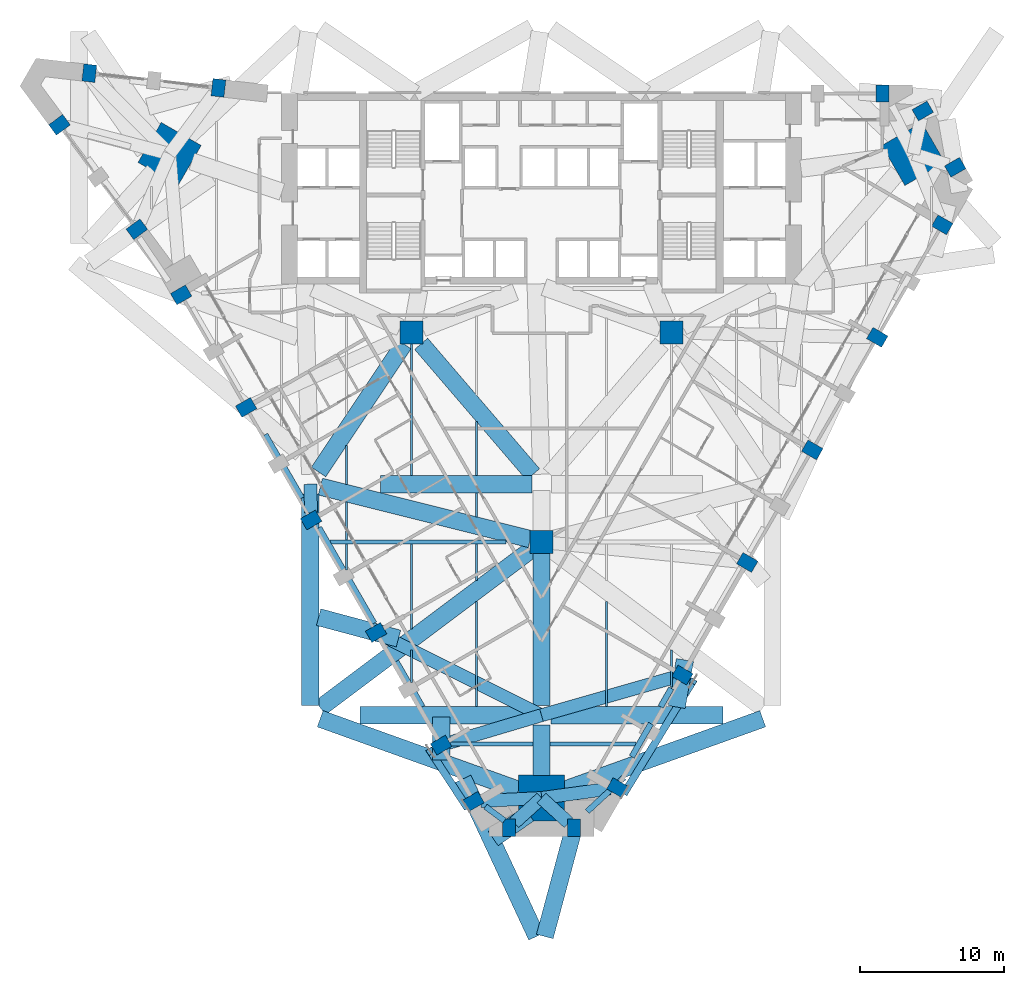
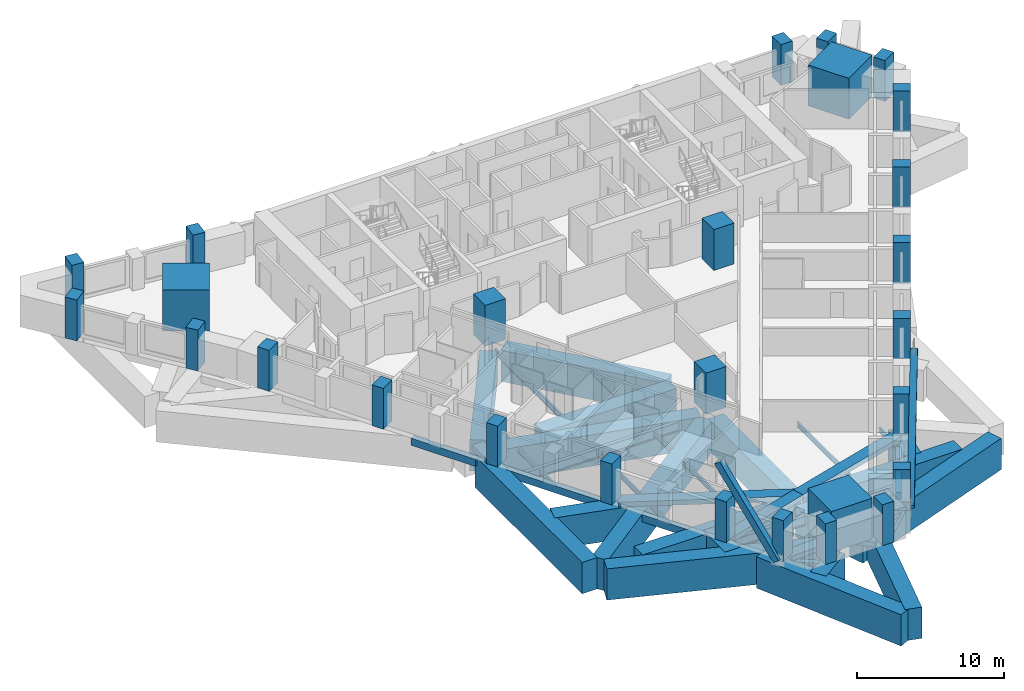
# One storey, part 1 of 12: 48 beams, 27 columns, 2 members.
"""IFC4 building model written with IfcOpenShell, lengths in metres."""

from ifc_helpers import new_model, si_unit, direction, frame, origin, origin_2d, place, context, subcontext, project, spatial, rectangle, hollow_rectangle, i_section, extrude, material, material_profile, profile_set, type_object, element, save


model = new_model("IFC4")

# Units and contexts
model_context = context("Model", 3, precision=1e-05, world=origin(), true_north=direction((0.0, 1.0)))
body_context = subcontext(model_context, "Body", "Model", "MODEL_VIEW")
ifc_project = project(units=[si_unit("LENGTHUNIT", "METRE"), si_unit("AREAUNIT", "SQUARE_METRE"), si_unit("VOLUMEUNIT", "CUBIC_METRE"), si_unit("PLANEANGLEUNIT", "RADIAN"), si_unit("MASSUNIT", "GRAM", prefix="KILO")], contexts=[model_context])

# Site, building, storey
site_placement = place(None, origin())
site = spatial("IfcSite", under=ifc_project, at=site_placement, CompositionType="ELEMENT")
building_placement = place(site_placement, origin())
building = spatial("IfcBuilding", under=site, at=building_placement, Name="Calabash Gate Tower", CompositionType="ELEMENT")
storey_placement = place(building_placement, frame((0.0, 0.0, 46.0)))
storey = spatial("IfcBuildingStorey", under=building, at=storey_placement, Name="L06", CompositionType="ELEMENT", Elevation=46.0)

# Columns
ifc_material_1 = material(Name="Concrete C80/95", Category="concrete")
ifc_material_profile_1 = material_profile(ifc_material_1, rectangle(XDim=1.60009765625, YDim=1.60009765625, at=origin_2d()))
ifc_profile_set_1 = profile_set([ifc_material_profile_1], Name="Concrete C80/95")
column_type_1 = type_object("IfcColumnType", Name="Interior column RC 1600x1600 Concrete C80/95", PredefinedType="COLUMN", material=ifc_profile_set_1)
for number, where, z_axis, x_axis, name in (
    (1, (-9.0, 2.5, 0.0), (0.0, 0.0, 1.0), (1.0, 0.0, 0.0), "Interior column L06 I0"),
    (2, (9.0, 2.5, 0.0), (0.0, 0.0, 1.0), (1.0, 0.0, 0.0), "Interior column L06 I1"),
    (3, (0.0, -12.0, 0.0), (0.0, 0.0, 1.0), (1.0, 0.0, 0.0), "Interior column L06 I2"),
):
    element("IfcColumn", number, at=place(storey_placement, frame(where, z_axis=z_axis, x_axis=x_axis)), inside=storey, type_object=column_type_1, Name=name, PredefinedType="COLUMN", context=body_context, shape_type="SweptSolid", body=[
        extrude(rectangle(XDim=1.60009765625, YDim=1.60009765625, at=origin_2d()), origin(), (0.0, 0.0, 1.0), 3.39990234375),
    ])
ifc_material_2 = material(Name="Concrete C80/95", Category="concrete")
ifc_material_profile_2 = material_profile(ifc_material_2, rectangle(XDim=3.199951171875, YDim=3.199951171875, at=origin_2d()))
ifc_profile_set_2 = profile_set([ifc_material_profile_2], Name="Concrete C80/95")
column_type_2 = type_object("IfcColumnType", Name="Mega column RC 3200x3200 Concrete C80/95", PredefinedType="COLUMN", material=ifc_profile_set_2)
for number, where, z_axis, x_axis, name in (
    (4, (-25.75, 14.866943359375, 0.0), (0.0, 0.0, 1.0), (0.866025386331, -0.50000003023, 0.0), "Mega column L06 NW"),
    (5, (25.75, 14.866943359375, 0.0), (0.0, 0.0, 1.0), (-0.866025386331, -0.50000003023, 0.0), "Mega column L06 NE"),
    (6, (0.0, -29.73291015625, 0.0), (0.0, 0.0, 1.0), (0.0, 1.0, 0.0), "Mega column L06 S"),
):
    element("IfcColumn", number, at=place(storey_placement, frame(where, z_axis=z_axis, x_axis=x_axis)), inside=storey, type_object=column_type_2, Name=name, PredefinedType="COLUMN", context=body_context, shape_type="SweptSolid", body=[
        extrude(rectangle(XDim=3.199951171875, YDim=3.199951171875, at=origin_2d()), origin(), (0.0, 0.0, 1.0), 3.39990234375),
    ])
ifc_material_3 = material(Name="Concrete C70/85", Category="concrete")
ifc_material_profile_3 = material_profile(ifc_material_3, rectangle(XDim=0.89990234375, YDim=1.199951171875, at=origin_2d()))
ifc_profile_set_3 = profile_set([ifc_material_profile_3], Name="Concrete C70/85")
column_type_3 = type_object("IfcColumnType", Name="Perimeter column RC 900x1200 Concrete C70/85", PredefinedType="COLUMN", material=ifc_profile_set_3)
for number, where, z_axis, x_axis, name in (
    (7, (-24.949951171875, 5.110107421875, 0.0), (0.0, 0.0, 1.0), (0.5, -0.866025403784, 0.0), "Perimeter column L06 P00"),
    (8, (-20.449951171875, -2.68310546875, 0.0), (0.0, 0.0, 1.0), (0.5, -0.866025403784, 0.0), "Perimeter column L06 P01"),
    (9, (-15.949951171875, -10.47900390625, 0.0), (0.0, 0.0, 1.0), (0.5, -0.866025403784, 0.0), "Perimeter column L06 P02"),
    (10, (-11.449951171875, -18.27294921875, 0.0), (0.0, 0.0, 1.0), (0.5, -0.866025403784, 0.0), "Perimeter column L06 P03"),
    (11, (-6.949951171875, -26.06689453125, 0.0), (0.0, 0.0, 1.0), (0.5, -0.866025403784, 0.0), "Perimeter column L06 P04"),
    (12, (-4.699951171875, -29.964111328125, 0.0), (0.0, 0.0, 1.0), (0.5, -0.866025403784, 0.0), "Perimeter column L06 P05"),
    (13, (-2.25, -31.782958984375, 0.0), (0.0, 0.0, 1.0), (1.0, 0.0, 0.0), "Perimeter column L06 P06"),
    (14, (2.25, -31.782958984375, 0.0), (0.0, 0.0, 1.0), (1.0, 0.0, 0.0), "Perimeter column L06 P07"),
    (15, (5.25, -29.011962890625, 0.0), (0.0, 0.0, 1.0), (0.5, 0.866025403784, 0.0), "Perimeter column L06 P08"),
    (16, (9.75, -21.218017578125, 0.0), (0.0, 0.0, 1.0), (0.5, 0.866025403784, 0.0), "Perimeter column L06 P09"),
    (17, (14.25, -13.423095703125, 0.0), (0.0, 0.0, 1.0), (0.5, 0.866025403784, 0.0), "Perimeter column L06 P10"),
    (18, (18.75, -5.62890625, 0.0), (0.0, 0.0, 1.0), (0.5, 0.866025403784, 0.0), "Perimeter column L06 P11"),
    (19, (23.25, 2.1669921875, 0.0), (0.0, 0.0, 1.0), (0.5, 0.866025403784, 0.0), "Perimeter column L06 P12"),
    (20, (27.75, 9.958984375, 0.0), (0.0, 0.0, 1.0), (0.5, 0.866025403784, 0.0), "Perimeter column L06 P13"),
    (21, (28.64990234375, 13.943115234375, 0.0), (0.0, 0.0, 1.0), (-0.49999996977, 0.866025421238, 0.0), "Perimeter column L06 P14"),
    (22, (26.39990234375, 17.840087890625, 0.0), (0.0, 0.0, 1.0), (-0.49999996977, 0.866025421238, 0.0), "Perimeter column L06 P15"),
    (23, (23.60009765625, 19.052978515625, 0.0), (0.0, 0.0, 1.0), (-1.0, 0.0, 0.0), "Perimeter column L06 P16"),
    (24, (-22.366943359375, 19.43798828125, 0.0), (0.0, 0.0, 1.0), (-0.993506319736, 0.113776942504, 0.0), "Perimeter column L06 P17"),
    (25, (-31.30908203125, 20.4619140625, 0.0), (0.0, 0.0, 1.0), (-0.993506319736, 0.113776942504, 0.0), "Perimeter column L06 P18"),
    (26, (-33.373046875, 16.883056640625, 0.0), (0.0, 0.0, 1.0), (0.595286896465, -0.80351323007, 0.0), "Perimeter column L06 P19"),
    (27, (-28.01806640625, 9.65087890625, 0.0), (0.0, 0.0, 1.0), (0.595286896465, -0.80351323007, 0.0), "Perimeter column L06 P20"),
):
    element("IfcColumn", number, at=place(storey_placement, frame(where, z_axis=z_axis, x_axis=x_axis)), inside=storey, type_object=column_type_3, Name=name, PredefinedType="COLUMN", context=body_context, shape_type="SweptSolid", body=[
        extrude(rectangle(XDim=0.89990234375, YDim=1.199951171875, at=origin_2d()), origin(), (0.0, 0.0, 1.0), 3.39990234375),
    ])

# Beams
ifc_material_4 = material(Name="Concrete C80/95", Category="concrete")
ifc_material_profile_4 = material_profile(ifc_material_4, rectangle(XDim=0.89990234375, YDim=0.39990234375, at=origin_2d()))
ifc_profile_set_4 = profile_set([ifc_material_profile_4], Name="Concrete C80/95")
beam_type_1 = type_object("IfcBeamType", Name="Deck band beam RC 900x400 Concrete C80/95", PredefinedType="BEAM", material=ifc_profile_set_4)
beam_1_placement = place(storey_placement, frame((-16.0, -8.0, -0.200927734375), z_axis=(0.020227787462, -0.999795397376, 0.0), x_axis=(0.999795397376, 0.020227787462, 0.0)))
element("IfcBeam", 28, at=beam_1_placement, inside=storey, type_object=beam_type_1, Name="Deck band beam L06 P02", PredefinedType="BEAM", context=body_context, shape_type="SweptSolid", body=[
    extrude(rectangle(XDim=0.89990234375, YDim=0.39990234375, at=origin_2d()), origin(), (0.0, 0.0, 1.0), 1.9794921875),
])
beam_2_placement = place(storey_placement, frame((0.0, -24.0, -0.200927734375), z_axis=(-0.894379557656, 0.447308849507, 0.0), x_axis=(-0.447308849507, -0.894379557656, 0.0)))
element("IfcBeam", 29, at=beam_2_placement, inside=storey, type_object=beam_type_1, Name="Deck band beam L06 P03", PredefinedType="BEAM", context=body_context, shape_type="SweptSolid", body=[
    extrude(rectangle(XDim=0.89990234375, YDim=0.39990234375, at=origin_2d()), origin(), (0.0, 0.0, 1.0), 12.30224609375),
])
beam_3_placement = place(storey_placement, frame((0.0, -24.0, -0.200927734375), z_axis=(-0.958564652819, -0.284875071506, 0.0), x_axis=(0.284875071506, -0.958564652819, 0.0)))
element("IfcBeam", 30, at=beam_3_placement, inside=storey, type_object=beam_type_1, Name="Deck band beam L06 P04", PredefinedType="BEAM", context=body_context, shape_type="SweptSolid", body=[
    extrude(rectangle(XDim=0.89990234375, YDim=0.39990234375, at=origin_2d()), origin(), (0.0, 0.0, 1.0), 6.750732421875),
])
beam_4_placement = place(storey_placement, frame((0.0, -29.73291015625, -0.200927734375), z_axis=(-0.998787836567, -0.04922253068, 0.0), x_axis=(0.04922253068, -0.998787836567, 0.0)))
element("IfcBeam", 31, at=beam_4_placement, inside=storey, type_object=beam_type_1, Name="Deck band beam L06 P05", PredefinedType="BEAM", context=body_context, shape_type="SweptSolid", body=[
    extrude(rectangle(XDim=0.89990234375, YDim=0.39990234375, at=origin_2d()), origin(), (0.0, 0.0, 1.0), 4.2060546875),
])
for number, where, z_axis, x_axis, name in (
    (32, (0.0, -29.73291015625, -0.200927734375), (-0.739127306182, -0.673565754218, 0.0), (0.673565754218, -0.739127306182, 0.0), "Deck band beam L06 P06"),
    (33, (0.0, -29.73291015625, -0.200927734375), (0.739127306182, -0.673565754218, 0.0), (0.673565754218, 0.739127306182, 0.0), "Deck band beam L06 P07"),
):
    element("IfcBeam", number, at=place(storey_placement, frame(where, z_axis=z_axis, x_axis=x_axis)), inside=storey, type_object=beam_type_1, Name=name, PredefinedType="BEAM", context=body_context, shape_type="SweptSolid", body=[
        extrude(rectangle(XDim=0.89990234375, YDim=0.39990234375, at=origin_2d()), origin(), (0.0, 0.0, 1.0), 2.54345703125),
    ])
beam_5_placement = place(storey_placement, frame((0.0, -29.73291015625, -0.200927734375), z_axis=(0.990714399849, 0.135959471655, 0.0), x_axis=(-0.135959471655, 0.990714399849, 0.0)))
element("IfcBeam", 34, at=beam_5_placement, inside=storey, type_object=beam_type_1, Name="Deck band beam L06 P08", PredefinedType="BEAM", context=body_context, shape_type="SweptSolid", body=[
    extrude(rectangle(XDim=0.89990234375, YDim=0.39990234375, at=origin_2d()), origin(), (0.0, 0.0, 1.0), 4.8017578125),
])
beam_6_placement = place(storey_placement, frame((0.0, -24.0, -0.200927734375), z_axis=(0.961560257026, 0.27459401324, 0.0), x_axis=(-0.27459401324, 0.961560257026, 0.0)))
element("IfcBeam", 35, at=beam_6_placement, inside=storey, type_object=beam_type_1, Name="Deck band beam L06 P09", PredefinedType="BEAM", context=body_context, shape_type="SweptSolid", body=[
    extrude(rectangle(XDim=0.89990234375, YDim=0.39990234375, at=origin_2d()), origin(), (0.0, 0.0, 1.0), 9.6396484375),
])
ifc_material_5 = material(Name="Concrete C60/75", Category="concrete")
ifc_material_profile_5 = material_profile(ifc_material_5, rectangle(XDim=0.39990234375, YDim=0.60009765625, at=origin_2d()))
ifc_profile_set_5 = profile_set([ifc_material_profile_5], Name="Concrete C60/75")
beam_type_2 = type_object("IfcBeamType", Name="Edge beam RC 400x600 Concrete C60/75", PredefinedType="BEAM", material=ifc_profile_set_5)
beam_7_placement = place(storey_placement, frame((-19.131103515625, -4.569091796875, -0.75), z_axis=(0.50005150577, -0.865995664872, 0.0), x_axis=(0.865995664872, 0.50005150577, 0.0)))
element("IfcBeam", 36, at=beam_7_placement, inside=storey, type_object=beam_type_2, Name="Edge beam L06 1", PredefinedType="BEAM", context=body_context, shape_type="SweptSolid", body=[
    extrude(rectangle(XDim=0.39990234375, YDim=0.60009765625, at=origin_2d()), origin(), (0.0, 0.0, 1.0), 5.07373046875),
])
beam_8_placement = place(storey_placement, frame((-15.410888671875, -11.011962890625, -0.75), z_axis=(0.499925236995, -0.866068563923, 0.0), x_axis=(0.866068563923, 0.499925236995, 0.0)))
element("IfcBeam", 37, at=beam_8_placement, inside=storey, type_object=beam_type_2, Name="Edge beam L06 2", PredefinedType="BEAM", context=body_context, shape_type="SweptSolid", body=[
    extrude(rectangle(XDim=0.39990234375, YDim=0.60009765625, at=origin_2d()), origin(), (0.0, 0.0, 1.0), 7.642822265625),
])
beam_9_placement = place(storey_placement, frame((-10.06005859375, -20.280029296875, -0.75), z_axis=(0.499949862165, -0.866054348942, 0.0), x_axis=(0.866054348942, 0.499949862165, 0.0)))
element("IfcBeam", 38, at=beam_9_placement, inside=storey, type_object=beam_type_2, Name="Edge beam L06 3", PredefinedType="BEAM", context=body_context, shape_type="SweptSolid", body=[
    extrude(rectangle(XDim=0.39990234375, YDim=0.60009765625, at=origin_2d()), origin(), (0.0, 0.0, 1.0), 3.624267578125),
])
beam_10_placement = place(storey_placement, frame((-3.883056640625, -30.322021484375, -0.75), z_axis=(0.802857475721, -0.596171010432, 0.0), x_axis=(0.596171010432, 0.802857475721, 0.0)))
element("IfcBeam", 39, at=beam_10_placement, inside=storey, type_object=beam_type_2, Name="Edge beam L06 4", PredefinedType="BEAM", context=body_context, shape_type="SweptSolid", body=[
    extrude(rectangle(XDim=0.39990234375, YDim=0.60009765625, at=origin_2d()), origin(), (0.0, 0.0, 1.0), 1.6455078125),
])
beam_11_placement = place(storey_placement, frame((3.1640625, -30.6669921875, -0.75), z_axis=(0.734236308126, 0.678893985707, 0.0), x_axis=(-0.678893985707, 0.734236308126, 0.0)))
element("IfcBeam", 40, at=beam_11_placement, inside=storey, type_object=beam_type_2, Name="Edge beam L06 5", PredefinedType="BEAM", context=body_context, shape_type="SweptSolid", body=[
    extrude(rectangle(XDim=0.39990234375, YDim=0.60009765625, at=origin_2d()), origin(), (0.0, 0.0, 1.0), 3.467529296875),
])
beam_12_placement = place(storey_placement, frame((6.2509765625, -26.8779296875, -0.75), z_axis=(0.499950887891, 0.866053756817, 0.0), x_axis=(-0.866053756817, 0.499950887891, 0.0)))
element("IfcBeam", 41, at=beam_12_placement, inside=storey, type_object=beam_type_2, Name="Edge beam L06 6", PredefinedType="BEAM", context=body_context, shape_type="SweptSolid", body=[
    extrude(rectangle(XDim=0.39990234375, YDim=0.60009765625, at=origin_2d()), origin(), (0.0, 0.0, 1.0), 2.652099609375),
])
beam_13_placement = place(storey_placement, frame((8.248046875, -23.4189453125, -0.75), z_axis=(0.499765162565, 0.866160944794, 0.0), x_axis=(-0.866160944794, 0.499765162565, 0.0)))
element("IfcBeam", 42, at=beam_13_placement, inside=storey, type_object=beam_type_2, Name="Edge beam L06 7", PredefinedType="BEAM", context=body_context, shape_type="SweptSolid", body=[
    extrude(rectangle(XDim=0.39990234375, YDim=0.60009765625, at=origin_2d()), origin(), (0.0, 0.0, 1.0), 1.484619140625),
])
ifc_material_6 = material(Name="Steel ASTM A992 Gr50", Category="steel")
ifc_material_profile_6 = material_profile(ifc_material_6, i_section(OverallWidth=0.1396484375, OverallDepth=0.398681640625, WebThickness=0.00634765625, FlangeThickness=0.0087890625, FilletRadius=0.01025390625, at=origin_2d()))
ifc_profile_set_6 = profile_set([ifc_material_profile_6], Name="Steel ASTM A992 Gr50")
beam_type_3 = type_object("IfcBeamType", Name="Floor beam W16x26 ASTM A992 Gr50", PredefinedType="BEAM", material=ifc_profile_set_6)
beam_14_placement = place(storey_placement, frame((-13.5, -13.9541015625, -0.64892578125), z_axis=(0.0, 1.0, 0.0), x_axis=(-1.0, 0.0, 0.0)))
element("IfcBeam", 43, at=beam_14_placement, inside=storey, type_object=beam_type_3, Name="Floor beam L06 7", PredefinedType="BEAM", context=body_context, shape_type="SweptSolid", body=[
    extrude(i_section(OverallWidth=0.1396484375, OverallDepth=0.398681640625, WebThickness=0.00634765625, FlangeThickness=0.0087890625, FilletRadius=0.01025390625, at=origin_2d()), origin(), (0.0, 0.0, 1.0), 1.821044921875),
])
beam_15_placement = place(storey_placement, frame((-13.5, -11.866943359375, -0.64892578125), z_axis=(0.0, 1.0, 0.0), x_axis=(-1.0, 0.0, 0.0)))
element("IfcBeam", 44, at=beam_15_placement, inside=storey, type_object=beam_type_3, Name="Floor beam L06 8", PredefinedType="BEAM", context=body_context, shape_type="SweptSolid", body=[
    extrude(i_section(OverallWidth=0.1396484375, OverallDepth=0.398681640625, WebThickness=0.00634765625, FlangeThickness=0.0087890625, FilletRadius=0.01025390625, at=origin_2d()), origin(), (0.0, 0.0, 1.0), 2.64599609375),
])
beam_16_placement = place(storey_placement, frame((-13.5, -8.029052734375, -0.64892578125), z_axis=(0.0, 1.0, 0.0), x_axis=(-1.0, 0.0, 0.0)))
element("IfcBeam", 45, at=beam_16_placement, inside=storey, type_object=beam_type_3, Name="Floor beam L06 9", PredefinedType="BEAM", context=body_context, shape_type="SweptSolid", body=[
    extrude(i_section(OverallWidth=0.1396484375, OverallDepth=0.398681640625, WebThickness=0.00634765625, FlangeThickness=0.0087890625, FilletRadius=0.01025390625, at=origin_2d()), origin(), (0.0, 0.0, 1.0), 2.718994140625),
])
beam_17_placement = place(storey_placement, frame((-9.0, -21.7490234375, -0.64892578125), z_axis=(0.0, 1.0, 0.0), x_axis=(-1.0, 0.0, 0.0)))
element("IfcBeam", 46, at=beam_17_placement, inside=storey, type_object=beam_type_3, Name="Floor beam L06 11", PredefinedType="BEAM", context=body_context, shape_type="SweptSolid", body=[
    extrude(i_section(OverallWidth=0.1396484375, OverallDepth=0.398681640625, WebThickness=0.00634765625, FlangeThickness=0.0087890625, FilletRadius=0.01025390625, at=origin_2d()), origin(), (0.0, 0.0, 1.0), 2.260986328125),
])
beam_18_placement = place(storey_placement, frame((-9.0, -18.031982421875, -0.64892578125), z_axis=(0.0, 1.0, 0.0), x_axis=(-1.0, 0.0, 0.0)))
element("IfcBeam", 47, at=beam_18_placement, inside=storey, type_object=beam_type_3, Name="Floor beam L06 12", PredefinedType="BEAM", context=body_context, shape_type="SweptSolid", body=[
    extrude(i_section(OverallWidth=0.1396484375, OverallDepth=0.398681640625, WebThickness=0.00634765625, FlangeThickness=0.0087890625, FilletRadius=0.01025390625, at=origin_2d()), origin(), (0.0, 0.0, 1.0), 5.89892578125),
])
beam_19_placement = place(storey_placement, frame((-4.5, -23.39990234375, -0.64892578125), z_axis=(0.0, 1.0, 0.0), x_axis=(-1.0, 0.0, 0.0)))
element("IfcBeam", 48, at=beam_19_placement, inside=storey, type_object=beam_type_3, Name="Floor beam L06 14", PredefinedType="BEAM", context=body_context, shape_type="SweptSolid", body=[
    extrude(i_section(OverallWidth=0.1396484375, OverallDepth=0.398681640625, WebThickness=0.00634765625, FlangeThickness=0.0087890625, FilletRadius=0.01025390625, at=origin_2d()), origin(), (0.0, 0.0, 1.0), 7.286865234375),
])
beam_20_placement = place(storey_placement, frame((-4.5, -14.656982421875, -0.64892578125), z_axis=(0.0, 1.0, 0.0), x_axis=(-1.0, 0.0, 0.0)))
element("IfcBeam", 49, at=beam_20_placement, inside=storey, type_object=beam_type_3, Name="Floor beam L06 15", PredefinedType="BEAM", context=body_context, shape_type="SweptSolid", body=[
    extrude(i_section(OverallWidth=0.1396484375, OverallDepth=0.398681640625, WebThickness=0.00634765625, FlangeThickness=0.0087890625, FilletRadius=0.01025390625, at=origin_2d()), origin(), (0.0, 0.0, 1.0), 2.52392578125),
])
beam_21_placement = place(storey_placement, frame((-4.5, -10.279052734375, -0.64892578125), z_axis=(0.0, 1.0, 0.0), x_axis=(-1.0, 0.0, 0.0)))
element("IfcBeam", 50, at=beam_21_placement, inside=storey, type_object=beam_type_3, Name="Floor beam L06 16", PredefinedType="BEAM", context=body_context, shape_type="SweptSolid", body=[
    extrude(i_section(OverallWidth=0.1396484375, OverallDepth=0.398681640625, WebThickness=0.00634765625, FlangeThickness=0.0087890625, FilletRadius=0.01025390625, at=origin_2d()), origin(), (0.0, 0.0, 1.0), 1.678955078125),
])
beam_22_placement = place(storey_placement, frame((-4.5, -7.39990234375, -0.64892578125), z_axis=(0.0, 1.0, 0.0), x_axis=(-1.0, 0.0, 0.0)))
element("IfcBeam", 51, at=beam_22_placement, inside=storey, type_object=beam_type_3, Name="Floor beam L06 17", PredefinedType="BEAM", context=body_context, shape_type="SweptSolid", body=[
    extrude(i_section(OverallWidth=0.1396484375, OverallDepth=0.398681640625, WebThickness=0.00634765625, FlangeThickness=0.0087890625, FilletRadius=0.01025390625, at=origin_2d()), origin(), (0.0, 0.0, 1.0), 3.75),
])
beam_23_placement = place(storey_placement, frame((4.5, -23.39990234375, -0.64892578125), z_axis=(0.0, 1.0, 0.0), x_axis=(-1.0, 0.0, 0.0)))
element("IfcBeam", 52, at=beam_23_placement, inside=storey, type_object=beam_type_3, Name="Floor beam L06 19", PredefinedType="BEAM", context=body_context, shape_type="SweptSolid", body=[
    extrude(i_section(OverallWidth=0.1396484375, OverallDepth=0.398681640625, WebThickness=0.00634765625, FlangeThickness=0.0087890625, FilletRadius=0.01025390625, at=origin_2d()), origin(), (0.0, 0.0, 1.0), 7.286865234375),
])
beam_24_placement = place(storey_placement, frame((9.0, -22.029052734375, -0.64892578125), z_axis=(0.0, 1.0, 0.0), x_axis=(-1.0, 0.0, 0.0)))
element("IfcBeam", 53, at=beam_24_placement, inside=storey, type_object=beam_type_3, Name="Floor beam L06 24", PredefinedType="BEAM", context=body_context, shape_type="SweptSolid", body=[
    extrude(i_section(OverallWidth=0.1396484375, OverallDepth=0.398681640625, WebThickness=0.00634765625, FlangeThickness=0.0087890625, FilletRadius=0.01025390625, at=origin_2d()), origin(), (0.0, 0.0, 1.0), 2.541015625),
])
ifc_material_7 = material(Name="Steel ASTM A992 Gr50", Category="steel")
ifc_material_profile_7 = material_profile(ifc_material_7, i_section(OverallWidth=0.15234375, OverallDepth=0.44970703125, WebThickness=0.007568359375, FlangeThickness=0.0107421875, FilletRadius=0.01025390625, at=origin_2d()))
ifc_profile_set_7 = profile_set([ifc_material_profile_7], Name="Steel ASTM A992 Gr50")
beam_type_4 = type_object("IfcBeamType", Name="Floor beam W18x35 ASTM A992 Gr50", PredefinedType="BEAM", material=ifc_profile_set_7)
beam_25_placement = place(storey_placement, frame((-9.0, -7.39990234375, -0.673095703125), z_axis=(0.0, 1.0, 0.0), x_axis=(-1.0, 0.0, 0.0)))
element("IfcBeam", 54, at=beam_25_placement, inside=storey, type_object=beam_type_4, Name="Floor beam L06 13", PredefinedType="BEAM", context=body_context, shape_type="SweptSolid", body=[
    extrude(i_section(OverallWidth=0.15234375, OverallDepth=0.44970703125, WebThickness=0.007568359375, FlangeThickness=0.0107421875, FilletRadius=0.01025390625, at=origin_2d()), origin(), (0.0, 0.0, 1.0), 9.121826171875),
])
ifc_material_8 = material(Name="Steel ASTM A992 Gr50", Category="steel")
ifc_material_profile_8 = material_profile(ifc_material_8, i_section(OverallWidth=0.2666015625, OverallDepth=0.77978515625, WebThickness=0.0166015625, FlangeThickness=0.030029296875, FilletRadius=0.0166015625, at=origin_2d()))
ifc_profile_set_8 = profile_set([ifc_material_profile_8], Name="Steel ASTM A992 Gr50")
beam_type_5 = type_object("IfcBeamType", Name="Girder W30x148 ASTM A992 Gr50", PredefinedType="BEAM", material=ifc_profile_set_8)
beam_26_placement = place(storey_placement, frame((-14.64208984375, -12.0, -0.840087890625), z_axis=(1.0, 0.0, 0.0), x_axis=(0.0, 1.0, 0.0)))
element("IfcBeam", 55, at=beam_26_placement, inside=storey, type_object=beam_type_5, Name="Girder L06 5", PredefinedType="BEAM", context=body_context, shape_type="SweptSolid", body=[
    extrude(i_section(OverallWidth=0.2666015625, OverallDepth=0.77978515625, WebThickness=0.0166015625, FlangeThickness=0.030029296875, FilletRadius=0.0166015625, at=origin_2d()), origin(), (0.0, 0.0, 1.0), 12.2001953125),
])
beam_27_placement = place(storey_placement, frame((-6.327880859375, -26.0, -0.840087890625), z_axis=(1.0, 0.0, 0.0), x_axis=(0.0, 1.0, 0.0)))
element("IfcBeam", 56, at=beam_27_placement, inside=storey, type_object=beam_type_5, Name="Girder L06 7", PredefinedType="BEAM", context=body_context, shape_type="SweptSolid", body=[
    extrude(i_section(OverallWidth=0.2666015625, OverallDepth=0.77978515625, WebThickness=0.0166015625, FlangeThickness=0.030029296875, FilletRadius=0.0166015625, at=origin_2d()), origin(), (0.0, 0.0, 1.0), 5.727783203125),
])
beam_28_placement = place(storey_placement, frame((0.60009765625, -26.0, -0.840087890625), z_axis=(1.0, 0.0, 0.0), x_axis=(0.0, 1.0, 0.0)))
element("IfcBeam", 57, at=beam_28_placement, inside=storey, type_object=beam_type_5, Name="Girder L06 8", PredefinedType="BEAM", context=body_context, shape_type="SweptSolid", body=[
    extrude(i_section(OverallWidth=0.2666015625, OverallDepth=0.77978515625, WebThickness=0.0166015625, FlangeThickness=0.030029296875, FilletRadius=0.0166015625, at=origin_2d()), origin(), (0.0, 0.0, 1.0), 5.958984375),
])

# Members
ifc_material_9 = material(Name="Steel ASTM A500 Gr C", Category="steel")
ifc_material_profile_9 = material_profile(ifc_material_9, hollow_rectangle(XDim=0.508056640625, YDim=0.508056640625, WallThickness=0.01904296875, at=origin_2d()))
ifc_profile_set_9 = profile_set([ifc_material_profile_9], Name="Steel ASTM A500 Gr C")
member_type = type_object("IfcMemberType", Name="Mega-brace HSS20X20X.750 ASTM A500 Gr C", PredefinedType="BRACE", material=ifc_profile_set_9)
member_1_placement = place(storey_placement, frame((-5.22802734375, -30.26904296875, 0.0), z_axis=(-0.301759251825, 0.462709490476, 0.833571401477), x_axis=(-0.837617063426, -0.546257864985, 0.0)))
element("IfcMember", 58, at=member_1_placement, inside=storey, type_object=member_type, Name="Mega-brace SW Z1 1", PredefinedType="BRACE", context=body_context, shape_type="SweptSolid", body=[
    extrude(hollow_rectangle(XDim=0.508056640625, YDim=0.508056640625, WallThickness=0.01904296875, at=origin_2d()), origin(), (0.0, 0.0, 1.0), 8.15771484375),
])
member_2_placement = place(storey_placement, frame((5.778076171875, -29.31689453125, 0.0), z_axis=(0.417573018502, 0.680000501578, 0.602687391665), x_axis=(-0.852155103453, 0.523289288692, 0.0)))
element("IfcMember", 59, at=member_2_placement, inside=storey, type_object=member_type, Name="Mega-brace SE Z1 6", PredefinedType="BRACE", context=body_context, shape_type="SweptSolid", body=[
    extrude(hollow_rectangle(XDim=0.508056640625, YDim=0.508056640625, WallThickness=0.01904296875, at=origin_2d()), origin(), (0.0, 0.0, 1.0), 11.282958984375),
])

# Beams
ifc_material_10 = material(Name="Concrete C80/95", Category="concrete")
ifc_material_profile_10 = material_profile(ifc_material_10, rectangle(XDim=1.199951171875, YDim=2.60009765625, at=origin_2d()))
ifc_profile_set_10 = profile_set([ifc_material_profile_10], Name="Concrete C80/95")
beam_type_6 = type_object("IfcBeamType", Name="Transfer beam RC 1200x2600 Concrete C80/95", PredefinedType="BEAM", material=ifc_profile_set_10)
beam_29_placement = place(storey_placement, frame((-9.902099609375, -18.68798828125, -1.75), z_axis=(-0.96590425592, 0.258899533403, 0.0), x_axis=(-0.258899533403, -0.96590425592, 0.0)))
element("IfcBeam", 60, at=beam_29_placement, inside=storey, type_object=beam_type_6, Name="Transfer beam L06 50", PredefinedType="BEAM", context=body_context, shape_type="SweptSolid", body=[
    extrude(rectangle(XDim=1.199951171875, YDim=2.60009765625, at=origin_2d()), origin(), (0.0, 0.0, 1.0), 5.723876953125),
])
beam_30_placement = place(storey_placement, frame((-6.949951171875, -27.114013671875, -1.75), z_axis=(0.0, 1.0, 0.0), x_axis=(-1.0, 0.0, 0.0)))
element("IfcBeam", 61, at=beam_30_placement, inside=storey, type_object=beam_type_6, Name="Transfer beam L06 51", PredefinedType="BEAM", context=body_context, shape_type="SweptSolid", body=[
    extrude(rectangle(XDim=1.199951171875, YDim=2.60009765625, at=origin_2d()), origin(), (0.0, 0.0, 1.0), 3.0),
])
beam_31_placement = place(storey_placement, frame((-0.339111328125, -39.31689453125, -1.75), z_axis=(-0.422592487502, 0.906319805315, 0.0), x_axis=(-0.906319805315, -0.422592487502, 0.0)))
element("IfcBeam", 62, at=beam_31_placement, inside=storey, type_object=beam_type_6, Name="Transfer beam L06 52", PredefinedType="BEAM", context=body_context, shape_type="SweptSolid", body=[
    extrude(rectangle(XDim=1.199951171875, YDim=2.60009765625, at=origin_2d()), origin(), (0.0, 0.0, 1.0), 12.04443359375),
])
beam_32_placement = place(storey_placement, frame((0.22998046875, -39.321044921875, -1.75), z_axis=(0.258854472046, 0.965916332972, 0.0), x_axis=(-0.965916332972, 0.258854472046, 0.0)))
element("IfcBeam", 63, at=beam_32_placement, inside=storey, type_object=beam_type_6, Name="Transfer beam L06 54", PredefinedType="BEAM", context=body_context, shape_type="SweptSolid", body=[
    extrude(rectangle(XDim=1.199951171875, YDim=2.60009765625, at=origin_2d()), origin(), (0.0, 0.0, 1.0), 10.376708984375),
])
beam_33_placement = place(storey_placement, frame((9.360107421875, -23.431884765625, -1.75), z_axis=(0.173612610233, 0.984814023848, 0.0), x_axis=(-0.984814023848, 0.173612610233, 0.0)))
element("IfcBeam", 64, at=beam_33_placement, inside=storey, type_object=beam_type_6, Name="Transfer beam L06 55", PredefinedType="BEAM", context=body_context, shape_type="SweptSolid", body=[
    extrude(rectangle(XDim=1.199951171875, YDim=2.60009765625, at=origin_2d()), origin(), (0.0, 0.0, 1.0), 3.30615234375),
])
ifc_material_11 = material(Name="Concrete C80/95", Category="concrete")
ifc_material_profile_11 = material_profile(ifc_material_11, rectangle(XDim=1.199951171875, YDim=2.60009765625, at=origin_2d()))
ifc_profile_set_11 = profile_set([ifc_material_profile_11], Name="Concrete C80/95")
beam_type_7 = type_object("IfcBeamType", Name="Transfer bracket beam RC 1200x2600 Concrete C80/95", PredefinedType="BEAM", material=ifc_profile_set_11)
beam_34_placement = place(storey_placement, frame((-0.876953125, -30.83203125, -1.75), z_axis=(-0.822077909422, -0.569375017752, 0.0), x_axis=(0.569375017752, -0.822077909422, 0.0)))
element("IfcBeam", 65, at=beam_34_placement, inside=storey, type_object=beam_type_7, Name="Transfer bracket beam L06 53", PredefinedType="BEAM", context=body_context, shape_type="SweptSolid", body=[
    extrude(rectangle(XDim=1.199951171875, YDim=2.60009765625, at=origin_2d()), origin(), (0.0, 0.0, 1.0), 2.999755859375),
])
ifc_material_12 = material(Name="Concrete C80/95", Category="concrete")
ifc_material_profile_12 = material_profile(ifc_material_12, rectangle(XDim=1.199951171875, YDim=2.60009765625, at=origin_2d()))
ifc_profile_set_12 = profile_set([ifc_material_profile_12], Name="Concrete C80/95")
beam_type_8 = type_object("IfcBeamType", Name="Transfer girder RC 1200x2600 Concrete C80/95", PredefinedType="BEAM", material=ifc_profile_set_12)
beam_35_placement = place(storey_placement, frame((-16.0, -23.31201171875, -1.75), z_axis=(0.0, 1.0, 0.0), x_axis=(-1.0, 0.0, 0.0)))
element("IfcBeam", 66, at=beam_35_placement, inside=storey, type_object=beam_type_8, Name="Transfer girder L06 9", PredefinedType="BEAM", context=body_context, shape_type="SweptSolid", body=[
    extrude(rectangle(XDim=1.199951171875, YDim=2.60009765625, at=origin_2d()), origin(), (0.0, 0.0, 1.0), 14.64404296875),
])
beam_36_placement = place(storey_placement, frame((-15.323974609375, -24.241943359375, -1.75), z_axis=(0.941383095857, -0.337339394133, 0.0), x_axis=(0.337339394133, 0.941383095857, 0.0)))
element("IfcBeam", 67, at=beam_36_placement, inside=storey, type_object=beam_type_8, Name="Transfer girder L06 10", PredefinedType="BEAM", context=body_context, shape_type="SweptSolid", body=[
    extrude(rectangle(XDim=1.199951171875, YDim=2.60009765625, at=origin_2d()), origin(), (0.0, 0.0, 1.0), 14.599609375),
])
beam_37_placement = place(storey_placement, frame((-12.580078125, -24.0, -1.75), z_axis=(1.0, 0.0, 0.0), x_axis=(0.0, 1.0, 0.0)))
element("IfcBeam", 68, at=beam_37_placement, inside=storey, type_object=beam_type_8, Name="Transfer girder L06 11", PredefinedType="BEAM", context=body_context, shape_type="SweptSolid", body=[
    extrude(rectangle(XDim=1.199951171875, YDim=2.60009765625, at=origin_2d()), origin(), (0.0, 0.0, 1.0), 11.912109375),
])
beam_38_placement = place(storey_placement, frame((-15.31396484375, -23.48291015625, -1.75), z_axis=(0.800079029141, 0.599894613352, 0.0), x_axis=(-0.599894613352, 0.800079029141, 0.0)))
element("IfcBeam", 69, at=beam_38_placement, inside=storey, type_object=beam_type_8, Name="Transfer girder L06 12", PredefinedType="BEAM", context=body_context, shape_type="SweptSolid", body=[
    extrude(rectangle(XDim=1.199951171875, YDim=2.60009765625, at=origin_2d()), origin(), (0.0, 0.0, 1.0), 18.1630859375),
])
beam_39_placement = place(storey_placement, frame((-15.44091796875, -7.160888671875, -1.75), z_axis=(0.554731898411, 0.832029158675, 0.0), x_axis=(-0.832029158675, 0.554731898411, 0.0)))
element("IfcBeam", 70, at=beam_39_placement, inside=storey, type_object=beam_type_8, Name="Transfer girder L06 14", PredefinedType="BEAM", context=body_context, shape_type="SweptSolid", body=[
    extrude(rectangle(XDim=1.199951171875, YDim=2.60009765625, at=origin_2d()), origin(), (0.0, 0.0, 1.0), 10.662841796875),
])
beam_40_placement = place(storey_placement, frame((-15.31298828125, -8.172119140625, -1.75), z_axis=(0.970157830853, -0.242474293968, 0.0), x_axis=(0.242474293968, 0.970157830853, 0.0)))
element("IfcBeam", 71, at=beam_40_placement, inside=storey, type_object=beam_type_8, Name="Transfer girder L06 15", PredefinedType="BEAM", context=body_context, shape_type="SweptSolid", body=[
    extrude(rectangle(XDim=1.199951171875, YDim=2.60009765625, at=origin_2d()), origin(), (0.0, 0.0, 1.0), 14.986328125),
])
beam_41_placement = place(storey_placement, frame((-11.159912109375, -8.0, -1.75), z_axis=(1.0, 0.0, 0.0), x_axis=(0.0, 1.0, 0.0)))
element("IfcBeam", 72, at=beam_41_placement, inside=storey, type_object=beam_type_8, Name="Transfer girder L06 16", PredefinedType="BEAM", context=body_context, shape_type="SweptSolid", body=[
    extrude(rectangle(XDim=1.199951171875, YDim=2.60009765625, at=origin_2d()), origin(), (0.0, 0.0, 1.0), 10.491943359375),
])
beam_42_placement = place(storey_placement, frame((-8.3310546875, 1.718994140625, -1.75), z_axis=(0.650838666956, -0.759216062525, 0.0), x_axis=(0.759216062525, 0.650838666956, 0.0)))
element("IfcBeam", 73, at=beam_42_placement, inside=storey, type_object=beam_type_8, Name="Transfer girder L06 19", PredefinedType="BEAM", context=body_context, shape_type="SweptSolid", body=[
    extrude(rectangle(XDim=1.199951171875, YDim=2.60009765625, at=origin_2d()), origin(), (0.0, 0.0, 1.0), 11.9033203125),
])
beam_43_placement = place(storey_placement, frame((0.0, -28.1630859375, -1.75), z_axis=(0.0, 1.0, 0.0), x_axis=(-1.0, 0.0, 0.0)))
element("IfcBeam", 74, at=beam_43_placement, inside=storey, type_object=beam_type_8, Name="Transfer girder L06 24", PredefinedType="BEAM", context=body_context, shape_type="SweptSolid", body=[
    extrude(rectangle(XDim=1.199951171875, YDim=2.60009765625, at=origin_2d()), origin(), (0.0, 0.0, 1.0), 3.47509765625),
])
beam_44_placement = place(storey_placement, frame((1.580078125, -29.1669921875, -1.75), z_axis=(0.941383095857, 0.337339394133, 0.0), x_axis=(-0.337339394133, 0.941383095857, 0.0)))
element("IfcBeam", 75, at=beam_44_placement, inside=storey, type_object=beam_type_8, Name="Transfer girder L06 25", PredefinedType="BEAM", context=body_context, shape_type="SweptSolid", body=[
    extrude(rectangle(XDim=1.199951171875, YDim=2.60009765625, at=origin_2d()), origin(), (0.0, 0.0, 1.0), 14.599609375),
])
beam_45_placement = place(storey_placement, frame((0.0, -23.33203125, -1.75), z_axis=(0.0, 1.0, 0.0), x_axis=(-1.0, 0.0, 0.0)))
element("IfcBeam", 76, at=beam_45_placement, inside=storey, type_object=beam_type_8, Name="Transfer girder L06 26", PredefinedType="BEAM", context=body_context, shape_type="SweptSolid", body=[
    extrude(rectangle(XDim=1.199951171875, YDim=2.60009765625, at=origin_2d()), origin(), (0.0, 0.0, 1.0), 10.553955078125),
])
beam_46_placement = place(storey_placement, frame((0.66796875, -24.0, -1.75), z_axis=(1.0, 0.0, 0.0), x_axis=(0.0, 1.0, 0.0)))
element("IfcBeam", 77, at=beam_46_placement, inside=storey, type_object=beam_type_8, Name="Transfer girder L06 27", PredefinedType="BEAM", context=body_context, shape_type="SweptSolid", body=[
    extrude(rectangle(XDim=1.199951171875, YDim=2.60009765625, at=origin_2d()), origin(), (0.0, 0.0, 1.0), 11.912109375),
])

save(model, "model.ifc")
